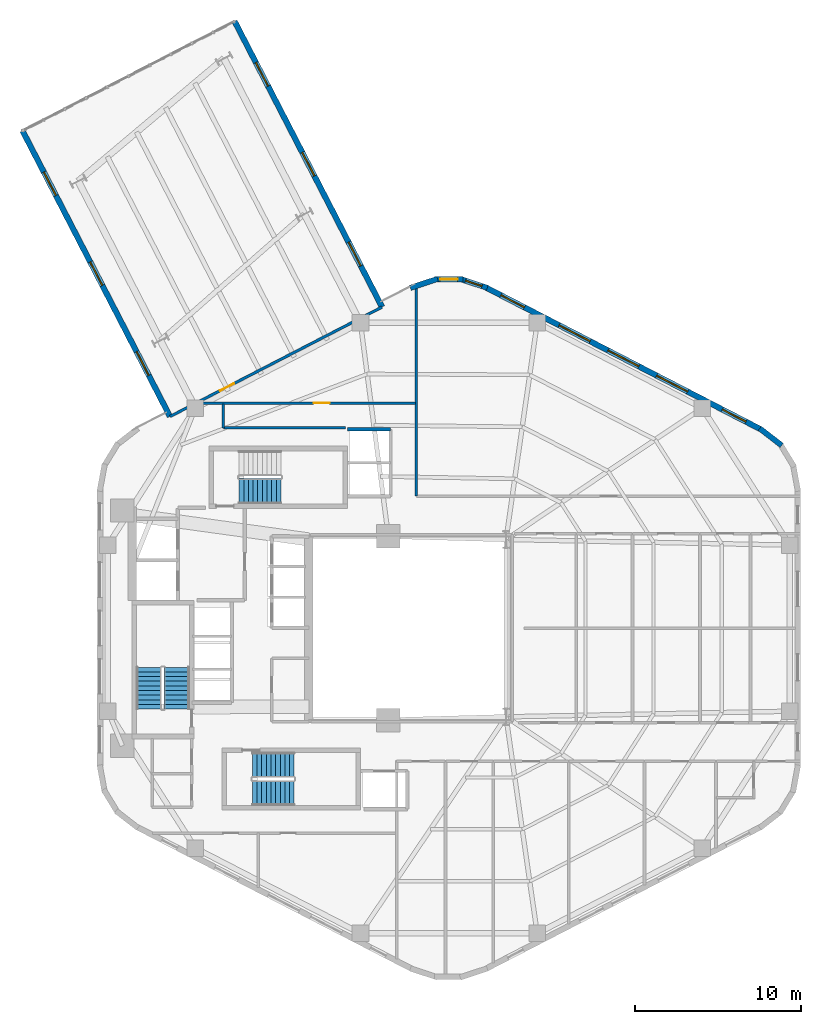
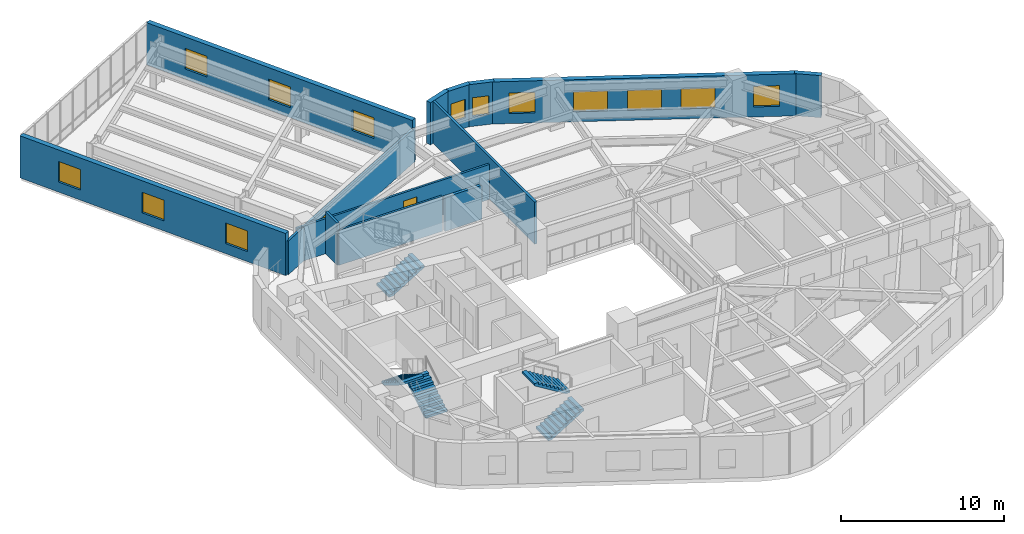
# One storey, part 9 of 11: 13 walls, 13 windows, 5 stair flights, 2 doors, 15 openings, 3 elements without a shape of their own.
"""IFC4 building model written with IfcOpenShell, lengths in metres."""

import ifcopenshell
import ifcopenshell.guid

model = None  # the IFC model being written
_history = None  # IfcOwnerHistory: only IFC2X3 demands one
_inside = {}  # id of a spatial element -> (the spatial element, [elements in it])
_under = {}  # id of a project, library or spatial element -> (it, [spatial elements below it])
_declared = {}  # id of a project -> (the project, [libraries it declares])
_typed = {}  # id of a type object -> (the type object, [elements of that type])
_made_of = {}  # id of a material, layer set ... -> (it, [elements and type objects made of it])


def new_model(schema):
    """Start an empty IFC model of exactly this schema.

    Asked for "IFC4X3", IfcOpenShell would pick the latest addendum, in which some entities
    have other attributes; the version numbers below select the first issue.
    IFC2X3 requires an IfcOwnerHistory on every rooted entity: one is made here for all.
    """
    global model, _history
    if schema == "IFC4X3":
        model = ifcopenshell.file(schema_version=(4, 3, 0, 0))
    else:
        model = ifcopenshell.file(schema=schema)
    _inside.clear()
    _under.clear()
    _declared.clear()
    _typed.clear()
    _made_of.clear()
    _history = None
    if model.schema == "IFC2X3":
        org = make("IfcOrganization", Name="unknown")
        user = make(
            "IfcPersonAndOrganization",
            ThePerson=make("IfcPerson", FamilyName="unknown"),
            TheOrganization=org,
        )
        app = make(
            "IfcApplication",
            ApplicationDeveloper=org,
            Version="unknown",
            ApplicationFullName="unknown",
            ApplicationIdentifier="unknown",
        )
        _history = make(
            "IfcOwnerHistory",
            OwningUser=user,
            OwningApplication=app,
            ChangeAction="ADDED",
            CreationDate=0,
        )
    return model


def make(cls, **values):
    """One entity of the class cls with the attributes given. An attribute that is None is left unset."""
    return model.create_entity(
        cls, **{name: value for name, value in values.items() if value is not None}
    )


def rooted(cls, **values):
    """An entity with a GlobalId (a new one), such as an element, a storey or a relation."""
    return make(cls, GlobalId=ifcopenshell.guid.new(), OwnerHistory=_history, **values)


def si_unit(unit_type, name, prefix=None):
    """IfcSIUnit, for example si_unit("LENGTHUNIT", "METRE", prefix="MILLI")."""
    return make("IfcSIUnit", UnitType=unit_type, Prefix=prefix, Name=name)


def assignment(units):
    """IfcUnitAssignment: the units of a project."""
    return None if units is None else make("IfcUnitAssignment", Units=units)


def point(xyz):
    """IfcCartesianPoint."""
    return None if xyz is None else make("IfcCartesianPoint", Coordinates=xyz)


def direction(xyz):
    """IfcDirection."""
    return None if xyz is None else make("IfcDirection", DirectionRatios=xyz)


def frame(location, z_axis=None, x_axis=None):
    """IfcAxis2Placement3D, a coordinate frame: its origin and axes. An axis left out is left unset."""
    return make(
        "IfcAxis2Placement3D",
        Location=point(location),
        Axis=direction(z_axis),
        RefDirection=direction(x_axis),
    )


def frame_2d(location, x_axis=None):
    """IfcAxis2Placement2D, a coordinate frame in the plane: its origin and x axis."""
    return make(
        "IfcAxis2Placement2D", Location=point(location), RefDirection=direction(x_axis)
    )


def origin():
    """The frame at (0, 0, 0) with its axes left unset."""
    return frame((0.0, 0.0, 0.0))


def place(relative_to, where):
    """IfcLocalPlacement: puts the frame where relative to a parent placement (None: the world)."""
    return make(
        "IfcLocalPlacement", PlacementRelTo=relative_to, RelativePlacement=where
    )


def context(
    kind, dimensions, precision=None, world=None, true_north=None, identifier=None
):
    """IfcGeometricRepresentationContext, for example the 3D "Model" context."""
    return make(
        "IfcGeometricRepresentationContext",
        ContextIdentifier=identifier,
        ContextType=kind,
        CoordinateSpaceDimension=dimensions,
        Precision=precision,
        WorldCoordinateSystem=world,
        TrueNorth=true_north,
    )


def subcontext(parent, identifier, kind, view, scale=None):
    """IfcGeometricRepresentationSubContext, for example "Body" below "Model"."""
    return make(
        "IfcGeometricRepresentationSubContext",
        ContextIdentifier=identifier,
        ContextType=kind,
        ParentContext=parent,
        TargetScale=scale,
        TargetView=view,
    )


def project(units=None, contexts=None):
    """IfcProject with its units and contexts."""
    return rooted(
        "IfcProject",
        Name="project",
        RepresentationContexts=contexts,
        UnitsInContext=assignment(units),
    )


def spatial(cls, under=None, at=None, **own):
    """A site, building, storey or space (cls), placed at a placement, below another one or the project."""
    s = rooted(cls, ObjectPlacement=at, **own)
    if under is not None:
        _under.setdefault(under.id(), (under, []))[1].append(s)
    return s


def polyline(points):
    """IfcPolyline through the points."""
    return make("IfcPolyline", Points=[point(p) for p in points])


def profile(cls, at=None, kind="AREA", **sizes):
    """A parametric profile (cls). Its sizes go by their IFC names, for example OverallWidth=200.0."""
    return make(cls, ProfileType=kind, Position=at, **sizes)


def rectangle(**sizes):
    """IfcRectangleProfileDef."""
    return profile("IfcRectangleProfileDef", **sizes)


def outline(outer, holes=None, kind="AREA"):
    """IfcArbitraryClosedProfileDef: a profile drawn as a closed curve; with holes, ...WithVoids."""
    if holes is None:
        return make("IfcArbitraryClosedProfileDef", ProfileType=kind, OuterCurve=outer)
    return make(
        "IfcArbitraryProfileDefWithVoids",
        ProfileType=kind,
        OuterCurve=outer,
        InnerCurves=holes,
    )


def extrude(swept, where, along, depth):
    """IfcExtrudedAreaSolid: the profile swept, set in the frame where, extruded along a direction by depth."""
    return make(
        "IfcExtrudedAreaSolid",
        SweptArea=swept,
        Position=where,
        ExtrudedDirection=direction(along),
        Depth=depth,
    )


def shape(context_of_items, identifier, shape_type, items):
    """IfcShapeRepresentation: the items that make up one representation, for example the "Body"."""
    return make(
        "IfcShapeRepresentation",
        ContextOfItems=context_of_items,
        RepresentationIdentifier=identifier,
        RepresentationType=shape_type,
        Items=items,
    )


def material(Name=None, Category=None):
    """IfcMaterial."""
    return make("IfcMaterial", Name=Name, Category=Category)


def layer(
    of_material, thickness, ventilated=None, Name=None, Category=None, Priority=None
):
    """IfcMaterialLayer: one layer of a wall or slab, of a material (None: an air gap)."""
    return make(
        "IfcMaterialLayer",
        Material=of_material,
        LayerThickness=thickness,
        IsVentilated=ventilated,
        Name=Name,
        Category=Category,
        Priority=Priority,
    )


def layer_set(layers, Name=None):
    """IfcMaterialLayerSet."""
    return make("IfcMaterialLayerSet", MaterialLayers=layers, LayerSetName=Name)


def made_of(thing, what):
    """Note that an element or type object is made of a material, layer set ...; save() writes the relation."""
    if what is not None:
        _made_of.setdefault(what.id(), (what, []))[1].append(thing)
    return thing


def type_object(cls, material=None, **own):
    """A type object (cls), such as IfcWallType, which elements share."""
    return made_of(rooted(cls, **own), material)


def element(
    cls,
    number,
    at=None,
    inside=None,
    cuts=None,
    type_object=None,
    material=None,
    context=None,
    identifier="Body",
    shape_type=None,
    held_by="IfcProductDefinitionShape",
    body=None,
    shapes=None,
    **own,
):
    """One element of the class cls, such as IfcWall. Its Tag is "e" and its number.

    at: its placement. inside: the storey or other place that contains it. cuts: it is an
    opening in that element (IfcRelVoidsElement). A single representation is given by context,
    identifier, shape_type and body (its items); several are given by shapes. held_by: the class
    of the entity that holds the representations. save() writes the other relations.
    """
    e = rooted(cls, Tag="e%d" % number, ObjectPlacement=at, **own)
    if body is not None:
        shapes = [shape(context, identifier, shape_type, body)]
    if shapes is not None:
        e.Representation = make(held_by, Representations=shapes)
    if inside is not None:
        _inside.setdefault(inside.id(), (inside, []))[1].append(e)
    if cuts is not None:
        rooted(
            "IfcRelVoidsElement", RelatingBuildingElement=cuts, RelatedOpeningElement=e
        )
    if type_object is not None:
        _typed.setdefault(type_object.id(), (type_object, []))[1].append(e)
    return made_of(e, material)


def fill(opening, filler):
    """IfcRelFillsElement: the door or window that sits in an opening."""
    return rooted(
        "IfcRelFillsElement",
        RelatingOpeningElement=opening,
        RelatedBuildingElement=filler,
    )


def aggregate(whole, parts):
    """IfcRelAggregates: a whole, such as a stair, and the parts it consists of."""
    return rooted("IfcRelAggregates", RelatingObject=whole, RelatedObjects=parts)


def save(model, path):
    """Write the relations noted so far, then the file.

    IfcRelAggregates (storeys below a building ...), IfcRelContainedInSpatialStructure (elements
    in a storey), IfcRelDefinesByType, IfcRelAssociatesMaterial and IfcRelDeclares: one each for
    every whole, place, type object, material and project.
    """
    for whole, parts in _under.values():
        aggregate(whole, parts)
    for where, things in _inside.values():
        rooted(
            "IfcRelContainedInSpatialStructure",
            RelatedElements=things,
            RelatingStructure=where,
        )
    for kind, things in _typed.values():
        rooted("IfcRelDefinesByType", RelatedObjects=things, RelatingType=kind)
    for what, things in _made_of.values():
        rooted("IfcRelAssociatesMaterial", RelatedObjects=things, RelatingMaterial=what)
    for by, libraries in _declared.values():
        rooted("IfcRelDeclares", RelatingContext=by, RelatedDefinitions=libraries)
    model.write(path)


model = new_model("IFC4")

# Units and contexts
model_context = context("Model", 3, precision=1e-05, world=origin(), true_north=direction((0.0, 1.0)))
body_context = subcontext(model_context, "Body", "Model", "MODEL_VIEW")
ifc_project = project(units=[si_unit("LENGTHUNIT", "METRE"), si_unit("AREAUNIT", "SQUARE_METRE"), si_unit("VOLUMEUNIT", "CUBIC_METRE"), si_unit("PLANEANGLEUNIT", "RADIAN"), si_unit("MASSUNIT", "GRAM", prefix="KILO"), si_unit("THERMODYNAMICTEMPERATUREUNIT", "KELVIN"), si_unit("POWERUNIT", "WATT")], contexts=[model_context])

# Site, building, storey
site_placement = place(None, origin())
site = spatial("IfcSite", under=ifc_project, at=site_placement, CompositionType="ELEMENT")
building_placement = place(site_placement, origin())
building = spatial("IfcBuilding", under=site, at=building_placement, Name="Skarre Station Tower", CompositionType="ELEMENT")
storey_placement = place(building_placement, frame((0.0, 0.0, 139.5)))
storey = spatial("IfcBuildingStorey", under=building, at=storey_placement, Name="L37", CompositionType="ELEMENT", Elevation=139.5)

# Wall, opening, door
ifc_material_1 = material(Name="Acoustic Steel-Stud Gypsum Partition", Category="steel")
ifc_layer_1 = layer(ifc_material_1, 0.14990234375, Name="Acoustic Steel-Stud Gypsum Partition")
ifc_layer_set_1 = layer_set([ifc_layer_1], Name="Acoustic Steel-Stud Gypsum Partition")
wall_type_1 = type_object("IfcWallType", Name="Fire-Rated Corridor Acoustic Partition 150", PredefinedType="PARTITIONING", material=ifc_layer_set_1)
wall_1_placement = place(storey_placement, frame((34.0, 37.580078125, 0.0), z_axis=(0.0, 0.0, 1.0), x_axis=(-1.0, 0.0, 0.0)))
wall_1 = element("IfcWall", 1, at=wall_1_placement, inside=storey, type_object=wall_type_1, Name="L37 Interior Partition WL-PT-L37-NWW1-CW", PredefinedType="PARTITIONING", context=body_context, shape_type="SweptSolid", body=[
    extrude(rectangle(XDim=13.70703125, YDim=0.14990234375, at=frame_2d((6.853515625, 0.0))), origin(), (0.0, 0.0, 1.0), 2.626953125),
])
opening_1_placement = place(wall_1_placement, frame((5.195068359375, 0.0, 0.0)))
opening_1 = element("IfcOpeningElement", 2, at=opening_1_placement, cuts=wall_1, Name="Opening DR-FD60", PredefinedType="OPENING", context=body_context, shape_type="SweptSolid", body=[
    extrude(rectangle(XDim=0.9599609375, YDim=2.0, at=frame_2d((0.47998046875, 1.0))), frame((0.0, 0.0849609375, 0.0), z_axis=(0.0, -1.0, 0.0), x_axis=(1.0, 0.0, 0.0)), (0.0, 0.0, 1.0), 0.169921875),
])
ifc_material_2 = material(Name="Nordic White-Oak Veneer Solid-Core Fire Leaf", Category="wood")
door_type = type_object("IfcDoorType", Name="Corridor Suite Entry Fire Door FD60 960x2150", OperationType="SINGLE_SWING_LEFT", PredefinedType="DOOR", material=ifc_material_2)
door_1_placement = place(opening_1_placement, origin())
door_1 = element("IfcDoor", 3, at=door_1_placement, inside=storey, type_object=door_type, Name="L37 NWW1 Entry Door", OperationType="SINGLE_SWING_LEFT", OverallHeight=2.0, OverallWidth=0.9599609375, PredefinedType="DOOR", context=body_context, shape_type="SweptSolid", body=[
    extrude(rectangle(XDim=0.9599609375, YDim=2.0, at=frame_2d((0.47998046875, 1.0))), frame((0.0, 0.02490234375, 0.0), z_axis=(0.0, -1.0, 0.0), x_axis=(1.0, 0.0, 0.0)), (0.0, 0.0, 1.0), 0.050048828125),
])
fill(opening_1, door_1)

# Walls
wall_2_placement = place(storey_placement, frame((29.7529296875, 36.080078125, 0.0), z_axis=(0.0, 0.0, 1.0), x_axis=(-1.0, 0.0, 0.0)))
element("IfcWall", 4, at=wall_2_placement, inside=storey, type_object=wall_type_1, Name="L37 Interior Partition WL-PT-L37-CSEAL-1", PredefinedType="PARTITIONING", context=body_context, shape_type="SweptSolid", body=[
    extrude(rectangle(XDim=7.35302734375, YDim=0.14990234375, at=frame_2d((3.676513671875, 0.0))), origin(), (0.0, 0.0, 1.0), 2.626953125),
])
wall_3_placement = place(storey_placement, frame((22.39990234375, 36.080078125, 0.0), z_axis=(0.0, 0.0, 1.0), x_axis=(0.0, 1.0, 0.0)))
element("IfcWall", 5, at=wall_3_placement, inside=storey, type_object=wall_type_1, Name="L37 Interior Partition WL-PT-L37-CSEAL-2", PredefinedType="PARTITIONING", context=body_context, shape_type="SweptSolid", body=[
    extrude(rectangle(XDim=1.429931640625, YDim=0.14990234375, at=frame_2d((0.71484375, 0.0))), origin(), (0.0, 0.0, 1.0), 3.159912109375),
])

# Wall, openings, windows
ifc_material_3 = material(Name="Precast concrete C45/55", Category="concrete")
ifc_layer_2 = layer(ifc_material_3, 0.340087890625, Name="Precast concrete C45/55")
ifc_layer_set_2 = layer_set([ifc_layer_2], Name="Precast concrete C45/55")
wall_type_2 = type_object("IfcWallType", Name="Nordic Honed Precast Facet Wall 340", PredefinedType="STANDARD", material=ifc_layer_set_2)
wall_4_placement = place(storey_placement, frame((38.23095703125, 44.55810546875, 0.0), z_axis=(0.0, 0.0, 1.0), x_axis=(0.888613612362, -0.458656568606, 0.0)))
wall_4 = element("IfcWall", 6, at=wall_4_placement, inside=storey, type_object=wall_type_2, Name="L37 Facet 0 Nordic Precast Masonry Wall", PredefinedType="STANDARD", context=body_context, shape_type="SweptSolid", body=[
    extrude(rectangle(XDim=18.680908203125, YDim=0.340087890625, at=frame_2d((9.34033203125, 0.0))), origin(), (0.0, 0.0, 1.0), 3.159912109375),
])
opening_2_placement = place(wall_4_placement, frame((1.02294921875, 0.0, 0.75)))
opening_2 = element("IfcOpeningElement", 7, at=opening_2_placement, cuts=wall_4, Name="Opening WN-Z2A", PredefinedType="OPENING", context=body_context, shape_type="SweptSolid", body=[
    extrude(rectangle(XDim=1.60009765625, YDim=1.550048828125, at=frame_2d((0.800048828125, 0.77490234375))), frame((0.0, 0.179931640625, 0.0), z_axis=(0.0, -1.0, 0.0), x_axis=(1.0, 0.0, 0.0)), (0.0, 0.0, 1.0), 0.360107421875),
])
opening_3_placement = place(wall_4_placement, frame((4.98095703125, 0.0, 0.75)))
opening_3 = element("IfcOpeningElement", 8, at=opening_3_placement, cuts=wall_4, Name="Opening WN-Z2B", PredefinedType="OPENING", context=body_context, shape_type="SweptSolid", body=[
    extrude(rectangle(XDim=2.10009765625, YDim=1.5, at=frame_2d((1.050048828125, 0.75))), frame((0.0, 0.179931640625, 0.0), z_axis=(0.0, -1.0, 0.0), x_axis=(1.0, 0.0, 0.0)), (0.0, 0.0, 1.0), 0.360107421875),
])
opening_4_placement = place(wall_4_placement, frame((8.2900390625, 0.0, 0.75)))
opening_4 = element("IfcOpeningElement", 9, at=opening_4_placement, cuts=wall_4, Name="Opening WN-Z2B", PredefinedType="OPENING", context=body_context, shape_type="SweptSolid", body=[
    extrude(rectangle(XDim=2.10009765625, YDim=1.5, at=frame_2d((1.050048828125, 0.75))), frame((0.0, 0.179931640625, 0.0), z_axis=(0.0, -1.0, 0.0), x_axis=(1.0, 0.0, 0.0)), (0.0, 0.0, 1.0), 0.360107421875),
])
opening_5_placement = place(wall_4_placement, frame((11.60009765625, 0.0, 0.75)))
opening_5 = element("IfcOpeningElement", 10, at=opening_5_placement, cuts=wall_4, Name="Opening WN-Z2B", PredefinedType="OPENING", context=body_context, shape_type="SweptSolid", body=[
    extrude(rectangle(XDim=2.10009765625, YDim=1.5, at=frame_2d((1.050048828125, 0.75))), frame((0.0, 0.179931640625, 0.0), z_axis=(0.0, -1.0, 0.0), x_axis=(1.0, 0.0, 0.0)), (0.0, 0.0, 1.0), 0.360107421875),
])
opening_6_placement = place(wall_4_placement, frame((16.05810546875, 0.0, 0.75)))
opening_6 = element("IfcOpeningElement", 11, at=opening_6_placement, cuts=wall_4, Name="Opening WN-Z2A", PredefinedType="OPENING", context=body_context, shape_type="SweptSolid", body=[
    extrude(rectangle(XDim=1.60009765625, YDim=1.550048828125, at=frame_2d((0.800048828125, 0.77490234375))), frame((0.0, 0.179931640625, 0.0), z_axis=(0.0, -1.0, 0.0), x_axis=(1.0, 0.0, 0.0)), (0.0, 0.0, 1.0), 0.360107421875),
])
ifc_material_4 = material(Name="Low-Iron Triple Glazing with Bronze Anodized Frame", Category="glass")
window_type_1 = type_object("IfcWindowType", Name="Nordic Residential Tall Window 1600x1550", PartitioningType="SINGLE_PANEL", PredefinedType="WINDOW", material=ifc_material_4)
window_1_placement = place(opening_2_placement, origin())
window_1 = element("IfcWindow", 12, at=window_1_placement, inside=storey, type_object=window_type_1, Name="L37 Facade Window WL-FAC-L37-F0-1", OverallHeight=1.550048828125, OverallWidth=1.60009765625, PartitioningType="SINGLE_PANEL", PredefinedType="WINDOW", context=body_context, shape_type="SweptSolid", body=[
    extrude(rectangle(XDim=1.60009765625, YDim=1.550048828125, at=frame_2d((0.800048828125, 0.77490234375))), frame((0.0, 0.030029296875, 0.0), z_axis=(0.0, -1.0, 0.0), x_axis=(1.0, 0.0, 0.0)), (0.0, 0.0, 1.0), 0.06005859375),
])
fill(opening_2, window_1)
window_2_placement = place(opening_6_placement, origin())
window_2 = element("IfcWindow", 13, at=window_2_placement, inside=storey, type_object=window_type_1, Name="L37 Facade Window WL-FAC-L37-F0-5", OverallHeight=1.550048828125, OverallWidth=1.60009765625, PartitioningType="SINGLE_PANEL", PredefinedType="WINDOW", context=body_context, shape_type="SweptSolid", body=[
    extrude(rectangle(XDim=1.60009765625, YDim=1.550048828125, at=frame_2d((0.800048828125, 0.77490234375))), frame((0.0, 0.030029296875, 0.0), z_axis=(0.0, -1.0, 0.0), x_axis=(1.0, 0.0, 0.0)), (0.0, 0.0, 1.0), 0.06005859375),
])
fill(opening_6, window_2)
window_type_2 = type_object("IfcWindowType", Name="Nordic Residential Twin Window 2100x1500", PartitioningType="SINGLE_PANEL", PredefinedType="WINDOW", material=ifc_material_4)
window_3_placement = place(opening_3_placement, origin())
window_3 = element("IfcWindow", 14, at=window_3_placement, inside=storey, type_object=window_type_2, Name="L37 Facade Window WL-FAC-L37-F0-2", OverallHeight=1.5, OverallWidth=2.10009765625, PartitioningType="SINGLE_PANEL", PredefinedType="WINDOW", context=body_context, shape_type="SweptSolid", body=[
    extrude(rectangle(XDim=2.10009765625, YDim=1.5, at=frame_2d((1.050048828125, 0.75))), frame((0.0, 0.030029296875, 0.0), z_axis=(0.0, -1.0, 0.0), x_axis=(1.0, 0.0, 0.0)), (0.0, 0.0, 1.0), 0.06005859375),
])
fill(opening_3, window_3)
window_4_placement = place(opening_4_placement, origin())
window_4 = element("IfcWindow", 15, at=window_4_placement, inside=storey, type_object=window_type_2, Name="L37 Facade Window WL-FAC-L37-F0-3", OverallHeight=1.5, OverallWidth=2.10009765625, PartitioningType="SINGLE_PANEL", PredefinedType="WINDOW", context=body_context, shape_type="SweptSolid", body=[
    extrude(rectangle(XDim=2.10009765625, YDim=1.5, at=frame_2d((1.050048828125, 0.75))), frame((0.0, 0.030029296875, 0.0), z_axis=(0.0, -1.0, 0.0), x_axis=(1.0, 0.0, 0.0)), (0.0, 0.0, 1.0), 0.06005859375),
])
fill(opening_4, window_4)
window_5_placement = place(opening_5_placement, origin())
window_5 = element("IfcWindow", 16, at=window_5_placement, inside=storey, type_object=window_type_2, Name="L37 Facade Window WL-FAC-L37-F0-4", OverallHeight=1.5, OverallWidth=2.10009765625, PartitioningType="SINGLE_PANEL", PredefinedType="WINDOW", context=body_context, shape_type="SweptSolid", body=[
    extrude(rectangle(XDim=2.10009765625, YDim=1.5, at=frame_2d((1.050048828125, 0.75))), frame((0.0, 0.030029296875, 0.0), z_axis=(0.0, -1.0, 0.0), x_axis=(1.0, 0.0, 0.0)), (0.0, 0.0, 1.0), 0.06005859375),
])
fill(opening_5, window_5)

wall_5_placement = place(storey_placement, frame((23.074951171875, 60.611083984375, 0.0), z_axis=(0.0, 0.0, 1.0), x_axis=(0.458619197522, -0.888632900395, 0.0)))
wall_5 = element("IfcWall", 17, at=wall_5_placement, inside=storey, type_object=wall_type_2, Name="L37 SB-3 Side 1 Precast Wall", PredefinedType="STANDARD", context=body_context, shape_type="SweptSolid", body=[
    extrude(rectangle(XDim=19.3994140625, YDim=0.340087890625, at=frame_2d((9.69970703125, 0.0))), origin(), (0.0, 0.0, 1.0), 3.159912109375),
])
opening_7_placement = place(wall_5_placement, frame((2.800048828125, 0.0, 0.75)))
opening_7 = element("IfcOpeningElement", 18, at=opening_7_placement, cuts=wall_5, Name="Opening WN-Z2A", PredefinedType="OPENING", context=body_context, shape_type="SweptSolid", body=[
    extrude(rectangle(XDim=1.60009765625, YDim=1.550048828125, at=frame_2d((0.800048828125, 0.77490234375))), frame((0.0, 0.179931640625, 0.0), z_axis=(0.0, -1.0, 0.0), x_axis=(1.0, 0.0, 0.0)), (0.0, 0.0, 1.0), 0.360107421875),
])
opening_8_placement = place(wall_5_placement, frame((8.89990234375, 0.0, 0.75)))
opening_8 = element("IfcOpeningElement", 19, at=opening_8_placement, cuts=wall_5, Name="Opening WN-Z2A", PredefinedType="OPENING", context=body_context, shape_type="SweptSolid", body=[
    extrude(rectangle(XDim=1.60009765625, YDim=1.550048828125, at=frame_2d((0.800048828125, 0.77490234375))), frame((0.0, 0.179931640625, 0.0), z_axis=(0.0, -1.0, 0.0), x_axis=(1.0, 0.0, 0.0)), (0.0, 0.0, 1.0), 0.360107421875),
])
opening_9_placement = place(wall_5_placement, frame((15.0, 0.0, 0.75)))
opening_9 = element("IfcOpeningElement", 20, at=opening_9_placement, cuts=wall_5, Name="Opening WN-Z2A", PredefinedType="OPENING", context=body_context, shape_type="SweptSolid", body=[
    extrude(rectangle(XDim=1.60009765625, YDim=1.550048828125, at=frame_2d((0.800048828125, 0.77490234375))), frame((0.0, 0.179931640625, 0.0), z_axis=(0.0, -1.0, 0.0), x_axis=(1.0, 0.0, 0.0)), (0.0, 0.0, 1.0), 0.360107421875),
])
window_6_placement = place(opening_7_placement, origin())
window_6 = element("IfcWindow", 21, at=window_6_placement, inside=storey, type_object=window_type_1, Name="L37 Facade Window WL-SB-3-L37-S1-1", OverallHeight=1.550048828125, OverallWidth=1.60009765625, PartitioningType="SINGLE_PANEL", PredefinedType="WINDOW", context=body_context, shape_type="SweptSolid", body=[
    extrude(rectangle(XDim=1.60009765625, YDim=1.550048828125, at=frame_2d((0.800048828125, 0.77490234375))), frame((0.0, 0.030029296875, 0.0), z_axis=(0.0, -1.0, 0.0), x_axis=(1.0, 0.0, 0.0)), (0.0, 0.0, 1.0), 0.06005859375),
])
fill(opening_7, window_6)
window_7_placement = place(opening_8_placement, origin())
window_7 = element("IfcWindow", 22, at=window_7_placement, inside=storey, type_object=window_type_1, Name="L37 Facade Window WL-SB-3-L37-S1-2", OverallHeight=1.550048828125, OverallWidth=1.60009765625, PartitioningType="SINGLE_PANEL", PredefinedType="WINDOW", context=body_context, shape_type="SweptSolid", body=[
    extrude(rectangle(XDim=1.60009765625, YDim=1.550048828125, at=frame_2d((0.800048828125, 0.77490234375))), frame((0.0, 0.030029296875, 0.0), z_axis=(0.0, -1.0, 0.0), x_axis=(1.0, 0.0, 0.0)), (0.0, 0.0, 1.0), 0.06005859375),
])
fill(opening_8, window_7)
window_8_placement = place(opening_9_placement, origin())
window_8 = element("IfcWindow", 23, at=window_8_placement, inside=storey, type_object=window_type_1, Name="L37 Facade Window WL-SB-3-L37-S1-3", OverallHeight=1.550048828125, OverallWidth=1.60009765625, PartitioningType="SINGLE_PANEL", PredefinedType="WINDOW", context=body_context, shape_type="SweptSolid", body=[
    extrude(rectangle(XDim=1.60009765625, YDim=1.550048828125, at=frame_2d((0.800048828125, 0.77490234375))), frame((0.0, 0.030029296875, 0.0), z_axis=(0.0, -1.0, 0.0), x_axis=(1.0, 0.0, 0.0)), (0.0, 0.0, 1.0), 0.06005859375),
])
fill(opening_9, window_8)

wall_6_placement = place(storey_placement, frame((19.177001953125, 36.76708984375, 0.0), z_axis=(0.0, 0.0, 1.0), x_axis=(-0.458658947762, 0.88861238436, 0.0)))
wall_6 = element("IfcWall", 24, at=wall_6_placement, inside=storey, type_object=wall_type_2, Name="L37 SB-3 Side 2 Precast Wall", PredefinedType="STANDARD", context=body_context, shape_type="SweptSolid", body=[
    extrude(rectangle(XDim=19.39990234375, YDim=0.340087890625, at=frame_2d((9.699951171875, 0.0))), origin(), (0.0, 0.0, 1.0), 3.159912109375),
])
opening_10_placement = place(wall_6_placement, frame((2.800048828125, 0.0, 0.75)))
opening_10 = element("IfcOpeningElement", 25, at=opening_10_placement, cuts=wall_6, Name="Opening WN-Z2A", PredefinedType="OPENING", context=body_context, shape_type="SweptSolid", body=[
    extrude(rectangle(XDim=1.60009765625, YDim=1.550048828125, at=frame_2d((0.800048828125, 0.77490234375))), frame((0.0, 0.179931640625, 0.0), z_axis=(0.0, -1.0, 0.0), x_axis=(1.0, 0.0, 0.0)), (0.0, 0.0, 1.0), 0.360107421875),
])
opening_11_placement = place(wall_6_placement, frame((8.89990234375, 0.0, 0.75)))
opening_11 = element("IfcOpeningElement", 26, at=opening_11_placement, cuts=wall_6, Name="Opening WN-Z2A", PredefinedType="OPENING", context=body_context, shape_type="SweptSolid", body=[
    extrude(rectangle(XDim=1.60009765625, YDim=1.550048828125, at=frame_2d((0.800048828125, 0.77490234375))), frame((0.0, 0.179931640625, 0.0), z_axis=(0.0, -1.0, 0.0), x_axis=(1.0, 0.0, 0.0)), (0.0, 0.0, 1.0), 0.360107421875),
])
opening_12_placement = place(wall_6_placement, frame((15.0, 0.0, 0.75)))
opening_12 = element("IfcOpeningElement", 27, at=opening_12_placement, cuts=wall_6, Name="Opening WN-Z2A", PredefinedType="OPENING", context=body_context, shape_type="SweptSolid", body=[
    extrude(rectangle(XDim=1.60009765625, YDim=1.550048828125, at=frame_2d((0.800048828125, 0.77490234375))), frame((0.0, 0.179931640625, 0.0), z_axis=(0.0, -1.0, 0.0), x_axis=(1.0, 0.0, 0.0)), (0.0, 0.0, 1.0), 0.360107421875),
])
window_9_placement = place(opening_10_placement, origin())
window_9 = element("IfcWindow", 28, at=window_9_placement, inside=storey, type_object=window_type_1, Name="L37 Facade Window WL-SB-3-L37-S2-1", OverallHeight=1.550048828125, OverallWidth=1.60009765625, PartitioningType="SINGLE_PANEL", PredefinedType="WINDOW", context=body_context, shape_type="SweptSolid", body=[
    extrude(rectangle(XDim=1.60009765625, YDim=1.550048828125, at=frame_2d((0.800048828125, 0.77490234375))), frame((0.0, 0.030029296875, 0.0), z_axis=(0.0, -1.0, 0.0), x_axis=(1.0, 0.0, 0.0)), (0.0, 0.0, 1.0), 0.06005859375),
])
fill(opening_10, window_9)
window_10_placement = place(opening_11_placement, origin())
window_10 = element("IfcWindow", 29, at=window_10_placement, inside=storey, type_object=window_type_1, Name="L37 Facade Window WL-SB-3-L37-S2-2", OverallHeight=1.550048828125, OverallWidth=1.60009765625, PartitioningType="SINGLE_PANEL", PredefinedType="WINDOW", context=body_context, shape_type="SweptSolid", body=[
    extrude(rectangle(XDim=1.60009765625, YDim=1.550048828125, at=frame_2d((0.800048828125, 0.77490234375))), frame((0.0, 0.030029296875, 0.0), z_axis=(0.0, -1.0, 0.0), x_axis=(1.0, 0.0, 0.0)), (0.0, 0.0, 1.0), 0.06005859375),
])
fill(opening_11, window_10)
window_11_placement = place(opening_12_placement, origin())
window_11 = element("IfcWindow", 30, at=window_11_placement, inside=storey, type_object=window_type_1, Name="L37 Facade Window WL-SB-3-L37-S2-3", OverallHeight=1.550048828125, OverallWidth=1.60009765625, PartitioningType="SINGLE_PANEL", PredefinedType="WINDOW", context=body_context, shape_type="SweptSolid", body=[
    extrude(rectangle(XDim=1.60009765625, YDim=1.550048828125, at=frame_2d((0.800048828125, 0.77490234375))), frame((0.0, 0.030029296875, 0.0), z_axis=(0.0, -1.0, 0.0), x_axis=(1.0, 0.0, 0.0)), (0.0, 0.0, 1.0), 0.06005859375),
])
fill(opening_12, window_11)

# Walls
ifc_layer_3 = layer(ifc_material_3, 0.330078125, Name="Precast concrete C45/55")
ifc_layer_set_3 = layer_set([ifc_layer_3], Name="Precast concrete C45/55")
wall_type_3 = type_object("IfcWallType", Name="Nordic Rounded Corner Precast Wall 330", PredefinedType="STANDARD", material=ifc_layer_set_3)
wall_7_placement = place(storey_placement, frame((54.757080078125, 36.050048828125, 0.0), z_axis=(0.0, 0.0, 1.0), x_axis=(0.790621329885, -0.612305408053, 0.0)))
element("IfcWall", 31, at=wall_7_placement, inside=storey, type_object=wall_type_3, Name="L37 Rounded Corner Precast Wall F0-1", PredefinedType="STANDARD", context=body_context, shape_type="SweptSolid", body=[
    extrude(rectangle(XDim=1.67578125, YDim=0.330078125, at=frame_2d((0.837890625, 0.0))), origin(), (0.0, 0.0, 1.0), 3.159912109375),
])
wall_8_placement = place(storey_placement, frame((33.680908203125, 44.531982421875, 0.0), z_axis=(0.0, 0.0, 1.0), x_axis=(0.949937416267, 0.312440242569, 0.0)))
element("IfcWall", 32, at=wall_8_placement, inside=storey, type_object=wall_type_3, Name="L37 Rounded Corner Precast Wall F1-1", PredefinedType="STANDARD", context=body_context, shape_type="SweptSolid", body=[
    extrude(rectangle(XDim=1.72216796875, YDim=0.330078125, at=frame_2d((0.861083984375, 0.0))), origin(), (0.0, 0.0, 1.0), 3.159912109375),
])

# Wall, opening, window
wall_9_placement = place(storey_placement, frame((35.138916015625, 45.041015625, 0.0), z_axis=(0.0, 0.0, 1.0), x_axis=(1.0, 0.0, 0.0)))
wall_9 = element("IfcWall", 33, at=wall_9_placement, inside=storey, type_object=wall_type_3, Name="L37 Rounded Corner Precast Wall F1-2", PredefinedType="STANDARD", context=body_context, shape_type="SweptSolid", body=[
    extrude(rectangle(XDim=1.72216796875, YDim=0.330078125, at=frame_2d((0.861083984375, 0.0))), origin(), (0.0, 0.0, 1.0), 3.159912109375),
])
opening_13_placement = place(wall_9_placement, frame((0.3359375, 0.0, 0.75)))
opening_13 = element("IfcOpeningElement", 34, at=opening_13_placement, cuts=wall_9, Name="Opening WN-SLT", PredefinedType="OPENING", context=body_context, shape_type="SweptSolid", body=[
    extrude(rectangle(XDim=1.050048828125, YDim=1.39990234375, at=frame_2d((0.52490234375, 0.699951171875))), frame((0.0, 0.175048828125, 0.0), z_axis=(0.0, -1.0, 0.0), x_axis=(1.0, 0.0, 0.0)), (0.0, 0.0, 1.0), 0.35009765625),
])
window_type_3 = type_object("IfcWindowType", Name="Nordic Corner Slot Window 1050x1400", PartitioningType="SINGLE_PANEL", PredefinedType="WINDOW", material=ifc_material_4)
window_12_placement = place(opening_13_placement, origin())
window_12 = element("IfcWindow", 35, at=window_12_placement, inside=storey, type_object=window_type_3, Name="L37 Apex Corner Slot Window F1-2", OverallHeight=1.39990234375, OverallWidth=1.050048828125, PartitioningType="SINGLE_PANEL", PredefinedType="WINDOW", context=body_context, shape_type="SweptSolid", body=[
    extrude(rectangle(XDim=1.050048828125, YDim=1.39990234375, at=frame_2d((0.52490234375, 0.699951171875))), frame((0.0, 0.030029296875, 0.0), z_axis=(0.0, -1.0, 0.0), x_axis=(1.0, 0.0, 0.0)), (0.0, 0.0, 1.0), 0.06005859375),
])
fill(opening_13, window_12)

wall_10_placement = place(storey_placement, frame((36.68310546875, 45.070068359375, 0.0), z_axis=(0.0, 0.0, 1.0), x_axis=(0.949937416267, -0.312440242569, 0.0)))
wall_10 = element("IfcWall", 36, at=wall_10_placement, inside=storey, type_object=wall_type_3, Name="L37 Rounded Corner Precast Wall F1-3", PredefinedType="STANDARD", context=body_context, shape_type="SweptSolid", body=[
    extrude(rectangle(XDim=1.72216796875, YDim=0.330078125, at=frame_2d((0.861083984375, 0.0))), origin(), (0.0, 0.0, 1.0), 3.159912109375),
])
opening_14_placement = place(wall_10_placement, frame((0.3359375, 0.0, 0.75)))
opening_14 = element("IfcOpeningElement", 37, at=opening_14_placement, cuts=wall_10, Name="Opening WN-SLT", PredefinedType="OPENING", context=body_context, shape_type="SweptSolid", body=[
    extrude(rectangle(XDim=1.050048828125, YDim=1.39990234375, at=frame_2d((0.52490234375, 0.699951171875))), frame((0.0, 0.175048828125, 0.0), z_axis=(0.0, -1.0, 0.0), x_axis=(1.0, 0.0, 0.0)), (0.0, 0.0, 1.0), 0.35009765625),
])
window_13_placement = place(opening_14_placement, origin())
window_13 = element("IfcWindow", 38, at=window_13_placement, inside=storey, type_object=window_type_3, Name="L37 Apex Corner Slot Window F1-3", OverallHeight=1.39990234375, OverallWidth=1.050048828125, PartitioningType="SINGLE_PANEL", PredefinedType="WINDOW", context=body_context, shape_type="SweptSolid", body=[
    extrude(rectangle(XDim=1.050048828125, YDim=1.39990234375, at=frame_2d((0.52490234375, 0.699951171875))), frame((0.0, 0.030029296875, 0.0), z_axis=(0.0, -1.0, 0.0), x_axis=(1.0, 0.0, 0.0)), (0.0, 0.0, 1.0), 0.06005859375),
])
fill(opening_14, window_13)

# Walls
ifc_material_5 = material(Name="Gypsum Concrete Shaft Assembly C30/37", Category="concrete")
ifc_layer_4 = layer(ifc_material_5, 0.199951171875, Name="Gypsum Concrete Shaft Assembly C30/37")
ifc_layer_set_4 = layer_set([ifc_layer_4], Name="Gypsum Concrete Shaft Assembly C30/37")
wall_type_4 = type_object("IfcWallType", Name="Shaft & Core Fire Partition 200", PredefinedType="PARTITIONING", material=ifc_layer_set_4)
wall_11_placement = place(storey_placement, frame((29.8798828125, 36.0, 0.0), z_axis=(0.0, 0.0, 1.0), x_axis=(1.0, 0.0, 0.0)))
element("IfcWall", 39, at=wall_11_placement, inside=storey, type_object=wall_type_4, Name="L37 Interior Partition WL-PT-L37-EX-N", PredefinedType="PARTITIONING", context=body_context, shape_type="SweptSolid", body=[
    extrude(rectangle(XDim=2.60009765625, YDim=0.199951171875, at=frame_2d((1.300048828125, 0.0))), origin(), (0.0, 0.0, 1.0), 2.552001953125),
])
ifc_layer_5 = layer(ifc_material_1, 0.1650390625, Name="Acoustic Steel-Stud Gypsum Partition")
ifc_layer_set_5 = layer_set([ifc_layer_5], Name="Acoustic Steel-Stud Gypsum Partition")
wall_type_5 = type_object("IfcWallType", Name="Suite Demising Acoustic Partition 165", PredefinedType="PARTITIONING", material=ifc_layer_set_5)
wall_12_placement = place(storey_placement, frame((34.0400390625, 31.9599609375, 0.0), z_axis=(0.0, 0.0, 1.0), x_axis=(0.0, 1.0, 0.0)))
element("IfcWall", 40, at=wall_12_placement, inside=storey, type_object=wall_type_5, Name="L37 Interior Partition WL-PT-L37-NW-WBND", PredefinedType="PARTITIONING", context=body_context, shape_type="SweptSolid", body=[
    extrude(rectangle(XDim=12.55810546875, YDim=0.1650390625, at=frame_2d((6.279052734375, 0.0))), origin(), (0.0, 0.0, 1.0), 3.159912109375),
])

# Wall, opening, door
wall_13_placement = place(storey_placement, frame((31.971923828125, 43.3720703125, 0.0), z_axis=(0.0, 0.0, 1.0), x_axis=(-0.888588109751, -0.458705974683, 0.0)))
wall_13 = element("IfcWall", 41, at=wall_13_placement, inside=storey, type_object=wall_type_5, Name="L37 Interior Partition WL-PT-L37-SB-3-ROOT", PredefinedType="PARTITIONING", context=body_context, shape_type="SweptSolid", body=[
    extrude(rectangle(XDim=14.399169921875, YDim=0.1650390625, at=frame_2d((7.19970703125, 0.0))), origin(), (0.0, 0.0, 1.0), 2.531982421875),
])
opening_15_placement = place(wall_13_placement, frame((10.049072265625, 0.0, 0.0)))
opening_15 = element("IfcOpeningElement", 42, at=opening_15_placement, cuts=wall_13, Name="Opening DR-FD60", PredefinedType="OPENING", context=body_context, shape_type="SweptSolid", body=[
    extrude(rectangle(XDim=0.9599609375, YDim=2.0, at=frame_2d((0.47998046875, 1.0))), frame((0.0, 0.092529296875, 0.0), z_axis=(0.0, -1.0, 0.0), x_axis=(1.0, 0.0, 0.0)), (0.0, 0.0, 1.0), 0.18505859375),
])
door_2_placement = place(opening_15_placement, origin())
door_2 = element("IfcDoor", 43, at=door_2_placement, inside=storey, type_object=door_type, Name="L37 SB-3 Horizon Salon Door", OperationType="SINGLE_SWING_LEFT", OverallHeight=2.0, OverallWidth=0.9599609375, PredefinedType="DOOR", context=body_context, shape_type="SweptSolid", body=[
    extrude(rectangle(XDim=0.9599609375, YDim=2.0, at=frame_2d((0.47998046875, 1.0))), frame((0.0, 0.02490234375, 0.0), z_axis=(0.0, -1.0, 0.0), x_axis=(1.0, 0.0, 0.0)), (0.0, 0.0, 1.0), 0.050048828125),
])
fill(opening_15, door_2)

# Stair, stair flights
ifc_material_6 = material(Name="Concrete C40/50", Category="concrete")
stair_type_1 = type_object("IfcStairType", Name="Reinforced Concrete Exit Stair ST-1", PredefinedType="HALF_TURN_STAIR", material=ifc_material_6)
stair_1_placement = place(storey_placement, origin())
stair_1 = element("IfcStair", 44, at=stair_1_placement, inside=storey, type_object=stair_type_1, Name="L37 Core Exit Stair ST-1", PredefinedType="HALF_TURN_STAIR")
stair_flight_type_1 = type_object("IfcStairFlightType", Name="Reinforced Concrete Stair Flight ST-1", PredefinedType="STRAIGHT", material=ifc_material_6)
stair_flight_1_placement = place(storey_placement, frame((19.590087890625, 19.1201171875, 0.0), z_axis=(0.0, 0.0, 1.0), x_axis=(0.0, 1.0, 0.0)))
stair_flight_1 = element("IfcStairFlight", 45, at=stair_flight_1_placement, type_object=stair_flight_type_1, Name="ST-1 flight 1", NumberOfRisers=10, NumberOfTreads=9, PredefinedType="STRAIGHT", RiserHeight=0.1725, TreadLength=0.28, context=body_context, shape_type="SweptSolid", body=[
    extrude(outline(polyline([(0.0, 0.0), (0.0, 0.172607421875), (0.280029296875, 0.172607421875), (0.280029296875, 0.344970703125), (0.56005859375, 0.344970703125), (0.56005859375, 0.517578125), (0.840087890625, 0.517578125), (0.840087890625, 0.68994140625), (1.1201171875, 0.68994140625), (1.1201171875, 0.862548828125), (1.39990234375, 0.862548828125), (1.39990234375, 1.034912109375), (1.679931640625, 1.034912109375), (1.679931640625, 1.20751953125), (1.9599609375, 1.20751953125), (1.9599609375, 1.3798828125), (2.239990234375, 1.3798828125), (2.239990234375, 1.552490234375), (2.52001953125, 1.552490234375), (2.52001953125, 1.72509765625), (2.52001953125, 1.37646484375), (0.285888671875, 0.0), (0.0, 0.0)])), frame((0.0, 0.760009765625, 0.0), z_axis=(0.0, -1.0, 0.0), x_axis=(1.0, 0.0, 0.0)), (0.0, 0.0, 1.0), 1.52001953125),
])
stair_flight_2_placement = place(storey_placement, frame((17.909912109375, 21.639892578125, 1.72509765625), z_axis=(0.0, 0.0, 1.0), x_axis=(0.0, -1.0, 0.0)))
stair_flight_2 = element("IfcStairFlight", 46, at=stair_flight_2_placement, type_object=stair_flight_type_1, Name="ST-1 flight 2", NumberOfRisers=10, NumberOfTreads=9, PredefinedType="STRAIGHT", RiserHeight=0.1725, TreadLength=0.28, context=body_context, shape_type="SweptSolid", body=[
    extrude(outline(polyline([(0.0, 0.0), (0.0, 0.172607421875), (0.280029296875, 0.172607421875), (0.280029296875, 0.344970703125), (0.56005859375, 0.344970703125), (0.56005859375, 0.517578125), (0.840087890625, 0.517578125), (0.840087890625, 0.68994140625), (1.1201171875, 0.68994140625), (1.1201171875, 0.862548828125), (1.39990234375, 0.862548828125), (1.39990234375, 1.034912109375), (1.679931640625, 1.034912109375), (1.679931640625, 1.20751953125), (1.9599609375, 1.20751953125), (1.9599609375, 1.3798828125), (2.239990234375, 1.3798828125), (2.239990234375, 1.552490234375), (2.52001953125, 1.552490234375), (2.52001953125, 1.72509765625), (2.52001953125, 1.37646484375), (0.285888671875, 0.0), (0.0, 0.0)])), frame((0.0, 0.760009765625, 0.0), z_axis=(0.0, -1.0, 0.0), x_axis=(1.0, 0.0, 0.0)), (0.0, 0.0, 1.0), 1.52001953125),
])
aggregate(stair_1, [stair_flight_1, stair_flight_2])

stair_type_2 = type_object("IfcStairType", Name="Reinforced Concrete Exit Stair ST-2", PredefinedType="HALF_TURN_STAIR", material=ifc_material_6)
stair_2_placement = place(storey_placement, origin())
stair_2 = element("IfcStair", 47, at=stair_2_placement, inside=storey, type_object=stair_type_2, Name="L37 Core Exit Stair ST-2", PredefinedType="HALF_TURN_STAIR")
stair_flight_type_2 = type_object("IfcStairFlightType", Name="Reinforced Concrete Stair Flight ST-2", PredefinedType="STRAIGHT", material=ifc_material_6)
stair_flight_3_placement = place(storey_placement, frame((24.14990234375, 14.06005859375, 0.0), z_axis=(0.0, 0.0, 1.0), x_axis=(1.0, 0.0, 0.0)))
stair_flight_3 = element("IfcStairFlight", 48, at=stair_flight_3_placement, type_object=stair_flight_type_2, Name="ST-2 flight 1", NumberOfRisers=10, NumberOfTreads=9, PredefinedType="STRAIGHT", RiserHeight=0.1725, TreadLength=0.28, context=body_context, shape_type="SweptSolid", body=[
    extrude(outline(polyline([(0.0, 0.0), (0.0, 0.172607421875), (0.280029296875, 0.172607421875), (0.280029296875, 0.344970703125), (0.56005859375, 0.344970703125), (0.56005859375, 0.517578125), (0.840087890625, 0.517578125), (0.840087890625, 0.68994140625), (1.1201171875, 0.68994140625), (1.1201171875, 0.862548828125), (1.39990234375, 0.862548828125), (1.39990234375, 1.034912109375), (1.679931640625, 1.034912109375), (1.679931640625, 1.20751953125), (1.9599609375, 1.20751953125), (1.9599609375, 1.3798828125), (2.239990234375, 1.3798828125), (2.239990234375, 1.552490234375), (2.52001953125, 1.552490234375), (2.52001953125, 1.72509765625), (2.52001953125, 1.37646484375), (0.285888671875, 0.0), (0.0, 0.0)])), frame((0.0, 0.760009765625, 0.0), z_axis=(0.0, -1.0, 0.0), x_axis=(1.0, 0.0, 0.0)), (0.0, 0.0, 1.0), 1.52001953125),
])
stair_flight_4_placement = place(storey_placement, frame((26.669921875, 15.739990234375, 1.72509765625), z_axis=(0.0, 0.0, 1.0), x_axis=(-1.0, 0.0, 0.0)))
stair_flight_4 = element("IfcStairFlight", 49, at=stair_flight_4_placement, type_object=stair_flight_type_2, Name="ST-2 flight 2", NumberOfRisers=10, NumberOfTreads=9, PredefinedType="STRAIGHT", RiserHeight=0.1725, TreadLength=0.28, context=body_context, shape_type="SweptSolid", body=[
    extrude(outline(polyline([(0.0, 0.0), (0.0, 0.172607421875), (0.280029296875, 0.172607421875), (0.280029296875, 0.344970703125), (0.56005859375, 0.344970703125), (0.56005859375, 0.517578125), (0.840087890625, 0.517578125), (0.840087890625, 0.68994140625), (1.1201171875, 0.68994140625), (1.1201171875, 0.862548828125), (1.39990234375, 0.862548828125), (1.39990234375, 1.034912109375), (1.679931640625, 1.034912109375), (1.679931640625, 1.20751953125), (1.9599609375, 1.20751953125), (1.9599609375, 1.3798828125), (2.239990234375, 1.3798828125), (2.239990234375, 1.552490234375), (2.52001953125, 1.552490234375), (2.52001953125, 1.72509765625), (2.52001953125, 1.37646484375), (0.285888671875, 0.0), (0.0, 0.0)])), frame((0.0, 0.760009765625, 0.0), z_axis=(0.0, -1.0, 0.0), x_axis=(1.0, 0.0, 0.0)), (0.0, 0.0, 1.0), 1.52001953125),
])
aggregate(stair_2, [stair_flight_3, stair_flight_4])

# Stair, stair flight
stair_type_3 = type_object("IfcStairType", Name="Reinforced Concrete Exit Stair ST-3", PredefinedType="HALF_TURN_STAIR", material=ifc_material_6)
stair_3_placement = place(storey_placement, origin())
stair_3 = element("IfcStair", 50, at=stair_3_placement, inside=storey, type_object=stair_type_3, Name="L37 Core Exit Stair ST-3", PredefinedType="HALF_TURN_STAIR")
stair_flight_type_3 = type_object("IfcStairFlightType", Name="Reinforced Concrete Stair Flight ST-3", PredefinedType="STRAIGHT", material=ifc_material_6)
stair_flight_5_placement = place(storey_placement, frame((23.35009765625, 32.260009765625, 0.0), z_axis=(0.0, 0.0, 1.0), x_axis=(1.0, 0.0, 0.0)))
stair_flight_5 = element("IfcStairFlight", 51, at=stair_flight_5_placement, type_object=stair_flight_type_3, Name="ST-3 flight 1", NumberOfRisers=10, NumberOfTreads=9, PredefinedType="STRAIGHT", RiserHeight=0.1725, TreadLength=0.28, context=body_context, shape_type="SweptSolid", body=[
    extrude(outline(polyline([(0.0, 0.0), (0.0, 0.172607421875), (0.280029296875, 0.172607421875), (0.280029296875, 0.344970703125), (0.56005859375, 0.344970703125), (0.56005859375, 0.517578125), (0.840087890625, 0.517578125), (0.840087890625, 0.68994140625), (1.1201171875, 0.68994140625), (1.1201171875, 0.862548828125), (1.39990234375, 0.862548828125), (1.39990234375, 1.034912109375), (1.679931640625, 1.034912109375), (1.679931640625, 1.20751953125), (1.9599609375, 1.20751953125), (1.9599609375, 1.3798828125), (2.239990234375, 1.3798828125), (2.239990234375, 1.552490234375), (2.52001953125, 1.552490234375), (2.52001953125, 1.72509765625), (2.52001953125, 1.37646484375), (0.285888671875, 0.0), (0.0, 0.0)])), frame((0.0, 0.760009765625, 0.0), z_axis=(0.0, -1.0, 0.0), x_axis=(1.0, 0.0, 0.0)), (0.0, 0.0, 1.0), 1.52001953125),
])
aggregate(stair_3, [stair_flight_5])

save(model, "model.ifc")
